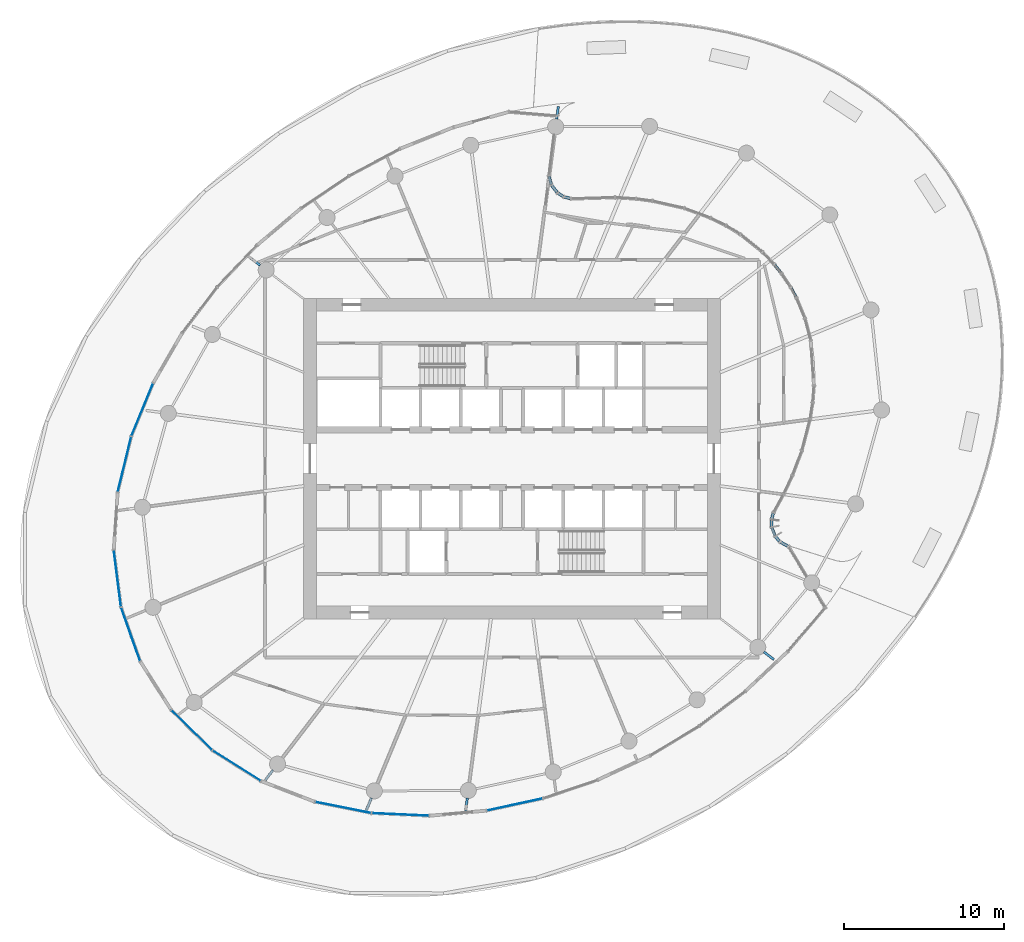
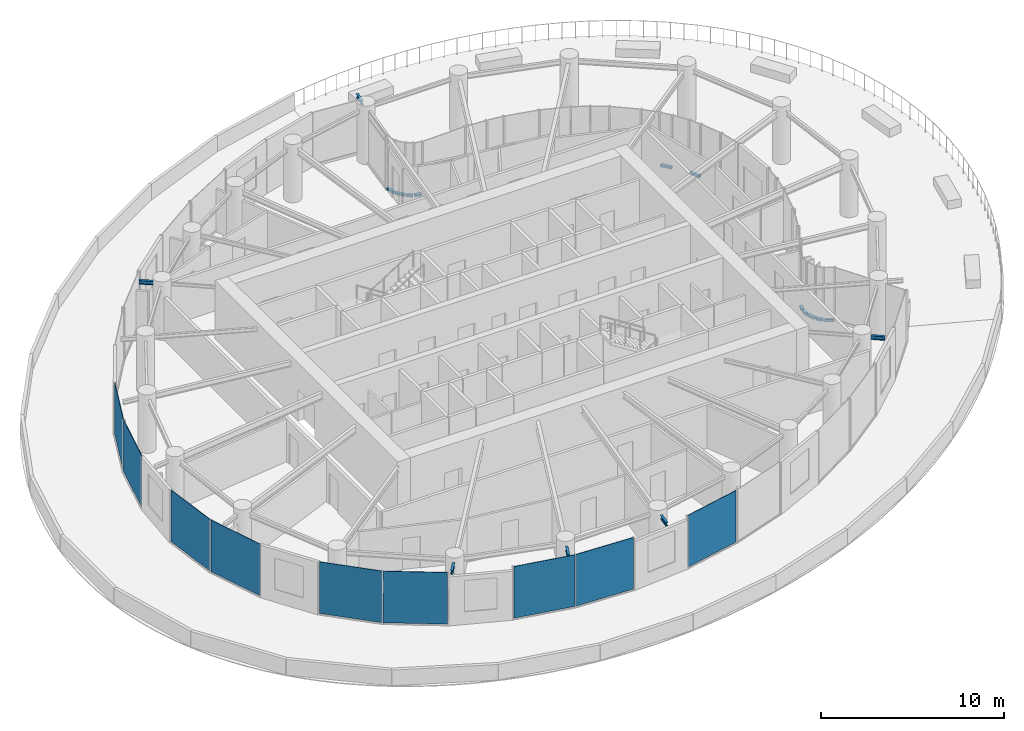
# One storey, part 7 of 21: 11 members, 9 plates, 6 beams, 8 elements without a shape of their own.
"""IFC4 building model written with IfcOpenShell, lengths in metres."""

from ifc_helpers import new_model, si_unit, direction, frame, origin, origin_2d, place, context, subcontext, project, spatial, rectangle, i_section, extrude, source, transform, mapped, material, layer, layer_set, material_profile, profile_set, type_object, element, aggregate, save


model = new_model("IFC4")

# Units and contexts
model_context = context("Model", 3, precision=1e-05, world=origin(), true_north=direction((0.0, 1.0)))
body_context = subcontext(model_context, "Body", "Model", "MODEL_VIEW")
ifc_project = project(units=[si_unit("LENGTHUNIT", "METRE"), si_unit("AREAUNIT", "SQUARE_METRE"), si_unit("VOLUMEUNIT", "CUBIC_METRE"), si_unit("PLANEANGLEUNIT", "RADIAN"), si_unit("MASSUNIT", "GRAM", prefix="KILO")], contexts=[model_context])

# Site, building, storey
site_placement = place(None, origin())
site = spatial("IfcSite", under=ifc_project, at=site_placement, CompositionType="ELEMENT")
building_placement = place(site_placement, origin())
building = spatial("IfcBuilding", under=site, at=building_placement, Name="Spindrift Exchange Tower", CompositionType="ELEMENT")
storey_placement = place(building_placement, frame((0.0, 0.0, 133.10009765625)))
storey = spatial("IfcBuildingStorey", under=building, at=storey_placement, Name="L31", CompositionType="ELEMENT", Elevation=133.10009765625)

# Beams
ifc_material_1 = material(Name="Steel Grade 300", Category="steel")
ifc_material_profile_1 = material_profile(ifc_material_1, i_section(OverallWidth=0.14599609375, OverallDepth=0.251953125, WebThickness=0.006103515625, FlangeThickness=0.008544921875, FilletRadius=0.011962890625, at=origin_2d()), Name="250UB31.4")
ifc_profile_set_1 = profile_set([ifc_material_profile_1], Name="Steel Grade 300")
beam_type = type_object("IfcBeamType", Name="Cantilever Beam 250UB31.4 Steel Grade 300", PredefinedType="BEAM", material=ifc_profile_set_1)
shared_shape_1 = source(origin(), body_context, "Body", "SweptSolid", [
    extrude(i_section(OverallWidth=0.14599609375, OverallDepth=0.251953125, WebThickness=0.006103515625, FlangeThickness=0.008544921875, FilletRadius=0.011962890625, at=origin_2d()), origin(), (0.0, 0.0, 1.0), 0.794677734375),
])
for number, where, z_axis, x_axis, name in (
    (1, (54.78857421875, 69.18115234375, 3.453857421875), (0.130573723613, 0.991438602588, 0.0), (-0.991438602588, 0.130573723613, 0.0), "L31 cantilever beam R06T"),
    (2, (49.21142578125, 26.81884765625, 3.453857421875), (-0.130573723613, -0.991438602588, 0.0), (0.991438602588, -0.130573723613, 0.0), "L31 cantilever beam R18T"),
):
    element("IfcBeam", number, at=place(storey_placement, frame(where, z_axis=z_axis, x_axis=x_axis)), inside=storey, type_object=beam_type, Name=name, PredefinedType="BEAM", context=body_context, shape_type="MappedRepresentation", body=[
        mapped(shared_shape_1, transform((0.0, 0.0, 0.0), scale=1.0)),
    ])
shared_shape_2 = source(origin(), body_context, "Body", "SweptSolid", [
    extrude(i_section(OverallWidth=0.14599609375, OverallDepth=0.251953125, WebThickness=0.006103515625, FlangeThickness=0.008544921875, FilletRadius=0.011962890625, at=origin_2d()), origin(), (0.0, 0.0, 1.0), 0.78515625),
])
for number, where, z_axis, x_axis, name in (
    (3, (36.282958984375, 60.060302734375, 3.453857421875), (-0.793536289636, 0.608522930571, 0.0), (-0.608522930571, -0.793536289636, 0.0), "L31 cantilever beam R10T"),
    (4, (67.717041015625, 35.939697265625, 3.453857421875), (0.793536289636, -0.608522930571, 0.0), (0.608522930571, 0.793536289636, 0.0), "L31 cantilever beam R22T"),
):
    element("IfcBeam", number, at=place(storey_placement, frame(where, z_axis=z_axis, x_axis=x_axis)), inside=storey, type_object=beam_type, Name=name, PredefinedType="BEAM", context=body_context, shape_type="MappedRepresentation", body=[
        mapped(shared_shape_2, transform((0.0, 0.0, 0.0), scale=1.0)),
    ])
shared_shape_3 = source(origin(), body_context, "Body", "SweptSolid", [
    extrude(i_section(OverallWidth=0.14599609375, OverallDepth=0.251953125, WebThickness=0.006103515625, FlangeThickness=0.008544921875, FilletRadius=0.011962890625, at=origin_2d()), origin(), (0.0, 0.0, 1.0), 0.780029296875),
])
beam_1_placement = place(storey_placement, frame((37.0830078125, 28.559814453125, 3.453857421875), z_axis=(-0.608727169633, -0.79337962726, 0.0), x_axis=(0.79337962726, -0.608727169633, 0.0)))
element("IfcBeam", 5, at=beam_1_placement, inside=storey, type_object=beam_type, Name="L31 cantilever beam R16T", PredefinedType="BEAM", context=body_context, shape_type="MappedRepresentation", body=[
    mapped(shared_shape_3, transform((0.0, 0.0, 0.0), scale=1.0)),
])
shared_shape_4 = source(origin(), body_context, "Body", "SweptSolid", [
    extrude(i_section(OverallWidth=0.14599609375, OverallDepth=0.251953125, WebThickness=0.006103515625, FlangeThickness=0.008544921875, FilletRadius=0.011962890625, at=origin_2d()), origin(), (0.0, 0.0, 1.0), 0.813720703125),
])
beam_2_placement = place(storey_placement, frame((43.229248046875, 26.82568359375, 3.453857421875), z_axis=(-0.382590313451, -0.923918098131, 0.0), x_axis=(0.923918098131, -0.382590313451, 0.0)))
element("IfcBeam", 6, at=beam_2_placement, inside=storey, type_object=beam_type, Name="L31 cantilever beam R17T", PredefinedType="BEAM", context=body_context, shape_type="MappedRepresentation", body=[
    mapped(shared_shape_4, transform((0.0, 0.0, 0.0), scale=1.0)),
])

# Curtain wall, member
ifc_material_2 = material(Name="Fritted laminated glass with bronze frame", Category="glass")
ifc_layer_1 = layer(ifc_material_2, 0.199951171875)
ifc_layer_set_1 = layer_set([ifc_layer_1], Name="SKY GARDEN BRONZE GLAZED WALL")
curtain_wall_type_1 = type_object("IfcCurtainWallType", Name="SKY GARDEN BRONZE GLAZED WALL", PredefinedType="NOTDEFINED", material=ifc_layer_set_1)
curtain_wall_1_placement = place(storey_placement, origin())
curtain_wall_1 = element("IfcCurtainWall", 7, at=curtain_wall_1_placement, inside=storey, type_object=curtain_wall_type_1, Name="L31 Sky Garden Bronze Glazed Wall run 10", PredefinedType="NOTDEFINED")
ifc_material_3 = material(Name="Bronze anodised aluminium", Category="aluminium")
ifc_material_profile_2 = material_profile(ifc_material_3, rectangle(XDim=0.179931640625, YDim=0.14990234375, at=origin_2d()), Name="SKY GARDEN BRONZE GLAZED WALL TRANSOM 180X150")
ifc_profile_set_2 = profile_set([ifc_material_profile_2], Name="Bronze anodised aluminium")
member_type = type_object("IfcMemberType", Name="SKY GARDEN BRONZE GLAZED WALL TRANSOM 180X150", PredefinedType="USERDEFINED", material=ifc_profile_set_2)
shared_shape_5 = source(origin(), body_context, "Body", "SweptSolid", [
    extrude(rectangle(XDim=0.179931640625, YDim=0.14990234375, at=origin_2d()), origin(), (0.0, 0.0, 1.0), 0.3759765625),
])
member_1_placement = place(storey_placement, frame((55.192626953125, 64.35986328125, 0.074951171875), z_axis=(-0.847596684812, 0.530640989649, 0.0), x_axis=(-0.530640989649, -0.847596684812, 0.0)))
member_1 = element("IfcMember", 8, at=member_1_placement, type_object=member_type, Name="L31 transom CW-G.57", ObjectType="TRANSOM", PredefinedType="USERDEFINED", context=body_context, shape_type="MappedRepresentation", body=[
    mapped(shared_shape_5, transform((0.0, 0.0, 0.0), scale=1.0)),
])

# Curtain wall, members
curtain_wall_2_placement = place(storey_placement, origin())
curtain_wall_2 = element("IfcCurtainWall", 9, at=curtain_wall_2_placement, inside=storey, type_object=curtain_wall_type_1, Name="L31 Sky Garden Bronze Glazed Wall run 6", PredefinedType="NOTDEFINED")
shared_shape_6 = source(origin(), body_context, "Body", "SweptSolid", [
    extrude(rectangle(XDim=0.179931640625, YDim=0.14990234375, at=origin_2d()), origin(), (0.0, 0.0, 1.0), 0.525390625),
])
member_2_placement = place(storey_placement, frame((69.2197265625, 42.53173828125, 0.074951171875), z_axis=(-0.875970508989, 0.482364662244, 0.0), x_axis=(-0.482364662244, -0.875970508989, 0.0)))
member_2 = element("IfcMember", 10, at=member_2_placement, type_object=member_type, Name="L31 transom CW-G.29", ObjectType="TRANSOM", PredefinedType="USERDEFINED", context=body_context, shape_type="MappedRepresentation", body=[
    mapped(shared_shape_6, transform((0.0, 0.0, 0.0), scale=1.0)),
])
shared_shape_7 = source(origin(), body_context, "Body", "SweptSolid", [
    extrude(rectangle(XDim=0.179931640625, YDim=0.14990234375, at=origin_2d()), origin(), (0.0, 0.0, 1.0), 0.380615234375),
])
member_3_placement = place(storey_placement, frame((68.6943359375, 42.837646484375, 0.074951171875), z_axis=(-0.658050417442, 0.75297386947, 0.0), x_axis=(-0.75297386947, -0.658050417442, 0.0)))
member_3 = element("IfcMember", 11, at=member_3_placement, type_object=member_type, Name="L31 transom CW-G.30", ObjectType="TRANSOM", PredefinedType="USERDEFINED", context=body_context, shape_type="MappedRepresentation", body=[
    mapped(shared_shape_7, transform((0.0, 0.0, 0.0), scale=1.0)),
])
member_4_placement = place(storey_placement, frame((68.19482421875, 43.76513671875, 0.074951171875), z_axis=(-0.021803667249, 0.99976227179, 0.0), x_axis=(-0.99976227179, -0.021803667249, 0.0)))
member_4 = element("IfcMember", 12, at=member_4_placement, type_object=member_type, Name="L31 transom CW-G.32", ObjectType="TRANSOM", PredefinedType="USERDEFINED", context=body_context, shape_type="MappedRepresentation", body=[
    mapped(shared_shape_7, transform((0.0, 0.0, 0.0), scale=1.0)),
])

# Member
member_5_placement = place(storey_placement, frame((55.6376953125, 64.22900390625, 0.074951171875), z_axis=(-0.966691225107, 0.255945453761, 0.0), x_axis=(-0.255945453761, -0.966691225107, 0.0)))
member_5 = element("IfcMember", 13, at=member_5_placement, type_object=member_type, Name="L31 transom CW-G.56", ObjectType="TRANSOM", PredefinedType="USERDEFINED", context=body_context, shape_type="MappedRepresentation", body=[
    mapped(shared_shape_7, transform((0.0, 0.0, 0.0), scale=1.0)),
])

aggregate(curtain_wall_1, [member_5, member_1])

shared_shape_8 = source(origin(), body_context, "Body", "SweptSolid", [
    extrude(rectangle(XDim=0.179931640625, YDim=0.14990234375, at=origin_2d()), origin(), (0.0, 0.0, 1.0), 0.522705078125),
])
member_6_placement = place(storey_placement, frame((68.400390625, 43.19580078125, 0.074951171875), z_axis=(-0.361950378851, 0.932197362821, 0.0), x_axis=(-0.932197362821, -0.361950378851, 0.0)))
member_6 = element("IfcMember", 14, at=member_6_placement, type_object=member_type, Name="L31 transom CW-G.31", ObjectType="TRANSOM", PredefinedType="USERDEFINED", context=body_context, shape_type="MappedRepresentation", body=[
    mapped(shared_shape_8, transform((0.0, 0.0, 0.0), scale=1.0)),
])

shared_shape_9 = source(origin(), body_context, "Body", "SweptSolid", [
    extrude(rectangle(XDim=0.179931640625, YDim=0.14990234375, at=origin_2d()), origin(), (0.0, 0.0, 1.0), 0.375732421875),
])
member_7_placement = place(storey_placement, frame((68.197265625, 44.229248046875, 0.074951171875), z_axis=(0.273605088333, 0.961842115754, 0.0), x_axis=(-0.961842115754, 0.273605088333, 0.0)))
member_7 = element("IfcMember", 15, at=member_7_placement, type_object=member_type, Name="L31 transom CW-G.33", ObjectType="TRANSOM", PredefinedType="USERDEFINED", context=body_context, shape_type="MappedRepresentation", body=[
    mapped(shared_shape_9, transform((0.0, 0.0, 0.0), scale=1.0)),
])

aggregate(curtain_wall_2, [member_2, member_3, member_6, member_4, member_7])

# Curtain wall, member
curtain_wall_3_placement = place(storey_placement, origin())
curtain_wall_3 = element("IfcCurtainWall", 16, at=curtain_wall_3_placement, inside=storey, type_object=curtain_wall_type_1, Name="L31 Sky Garden Bronze Glazed Wall run 8", PredefinedType="NOTDEFINED")
shared_shape_10 = source(origin(), body_context, "Body", "SweptSolid", [
    extrude(rectangle(XDim=0.179931640625, YDim=0.14990234375, at=origin_2d()), origin(), (0.0, 0.0, 1.0), 0.65087890625),
])
member_8_placement = place(storey_placement, frame((69.7216796875, 58.069580078125, 0.074951171875), z_axis=(-0.476669715951, 0.879082465924, 0.0), x_axis=(-0.879082465924, -0.476669715951, 0.0)))
member_8 = element("IfcMember", 17, at=member_8_placement, type_object=member_type, Name="L31 transom CW-G.44", ObjectType="TRANSOM", PredefinedType="USERDEFINED", context=body_context, shape_type="MappedRepresentation", body=[
    mapped(shared_shape_10, transform((0.0, 0.0, 0.0), scale=1.0)),
])
aggregate(curtain_wall_3, [member_8])

curtain_wall_4_placement = place(storey_placement, origin())
curtain_wall_4 = element("IfcCurtainWall", 18, at=curtain_wall_4_placement, inside=storey, type_object=curtain_wall_type_1, Name="L31 Sky Garden Bronze Glazed Wall run 9", PredefinedType="NOTDEFINED")
shared_shape_11 = source(origin(), body_context, "Body", "SweptSolid", [
    extrude(rectangle(XDim=0.179931640625, YDim=0.14990234375, at=origin_2d()), origin(), (0.0, 0.0, 1.0), 0.6513671875),
])
member_9_placement = place(storey_placement, frame((68.790283203125, 59.579345703125, 0.074951171875), z_axis=(-0.623780307201, 0.781599723867, 0.0), x_axis=(-0.781599723867, -0.623780307201, 0.0)))
member_9 = element("IfcMember", 19, at=member_9_placement, type_object=member_type, Name="L31 transom CW-G.46", ObjectType="TRANSOM", PredefinedType="USERDEFINED", context=body_context, shape_type="MappedRepresentation", body=[
    mapped(shared_shape_11, transform((0.0, 0.0, 0.0), scale=1.0)),
])
aggregate(curtain_wall_4, [member_9])

# Curtain wall, members
curtain_wall_5_placement = place(storey_placement, origin())
curtain_wall_5 = element("IfcCurtainWall", 20, at=curtain_wall_5_placement, inside=storey, type_object=curtain_wall_type_1, Name="L31 Sky Garden Bronze Glazed Wall run 11", PredefinedType="NOTDEFINED")
shared_shape_12 = source(origin(), body_context, "Body", "SweptSolid", [
    extrude(rectangle(XDim=0.179931640625, YDim=0.14990234375, at=origin_2d()), origin(), (0.0, 0.0, 1.0), 0.527587890625),
])
member_10_placement = place(storey_placement, frame((54.81201171875, 64.615478515625, 0.074951171875), z_axis=(-0.616308261658, 0.787505001008, 0.0), x_axis=(-0.787505001008, -0.616308261658, 0.0)))
member_10 = element("IfcMember", 21, at=member_10_placement, type_object=member_type, Name="L31 transom CW-G.58", ObjectType="TRANSOM", PredefinedType="USERDEFINED", context=body_context, shape_type="MappedRepresentation", body=[
    mapped(shared_shape_12, transform((0.0, 0.0, 0.0), scale=1.0)),
])
shared_shape_13 = source(origin(), body_context, "Body", "SweptSolid", [
    extrude(rectangle(XDim=0.179931640625, YDim=0.14990234375, at=origin_2d()), origin(), (0.0, 0.0, 1.0), 0.52783203125),
])
member_11_placement = place(storey_placement, frame((54.449462890625, 65.10546875, 0.074951171875), z_axis=(-0.262295302217, 0.964987655069, 0.0), x_axis=(-0.964987655069, -0.262295302217, 0.0)))
member_11 = element("IfcMember", 22, at=member_11_placement, type_object=member_type, Name="L31 transom CW-G.59", ObjectType="TRANSOM", PredefinedType="USERDEFINED", context=body_context, shape_type="MappedRepresentation", body=[
    mapped(shared_shape_13, transform((0.0, 0.0, 0.0), scale=1.0)),
])
aggregate(curtain_wall_5, [member_10, member_11])

# Curtain wall, plate
ifc_layer_2 = layer(ifc_material_2, 0.179931640625)
ifc_layer_set_2 = layer_set([ifc_layer_2], Name="ZONE 3 BRONZE FRITTED WALL")
curtain_wall_type_2 = type_object("IfcCurtainWallType", Name="ZONE 3 BRONZE FRITTED WALL", PredefinedType="NOTDEFINED", material=ifc_layer_set_2)
curtain_wall_6_placement = place(storey_placement, origin())
curtain_wall_6 = element("IfcCurtainWall", 23, at=curtain_wall_6_placement, inside=storey, type_object=curtain_wall_type_2, Name="L31 Zone 3 Bronze Fritted Wall run 4", PredefinedType="NOTDEFINED")
ifc_material_4 = material(Name="Bronze tinted laminated glass, light frit", Category="glass")
ifc_layer_3 = layer(ifc_material_4, 0.031982421875)
ifc_layer_set_3 = layer_set([ifc_layer_3], Name="ZONE 3 BRONZE FRITTED WALL PANEL LIGHT FRIT 960")
plate_type_1 = type_object("IfcPlateType", Name="ZONE 3 BRONZE FRITTED WALL PANEL LIGHT FRIT 960", PredefinedType="CURTAIN_PANEL", material=ifc_layer_set_3)
shared_shape_14 = source(origin(), body_context, "Body", "SweptSolid", [
    extrude(rectangle(XDim=3.530517578125, YDim=0.031982421875, at=origin_2d()), origin(), (0.0, 0.0, 1.0), 3.449951171875),
])
plate_1_placement = place(storey_placement, frame((52.173828125, 26.418212890625, 0.1298828125), z_axis=(0.0, 0.0, 1.0), x_axis=(0.977474500834, 0.211053548226, 0.0)))
plate_1 = element("IfcPlate", 24, at=plate_1_placement, type_object=plate_type_1, Name="L31 panel CW-3.21", PredefinedType="CURTAIN_PANEL", context=body_context, shape_type="MappedRepresentation", body=[
    mapped(shared_shape_14, transform((0.0, 0.0, 0.0), scale=1.0)),
])

# Curtain wall, plates
curtain_wall_7_placement = place(storey_placement, origin())
curtain_wall_7 = element("IfcCurtainWall", 25, at=curtain_wall_7_placement, inside=storey, type_object=curtain_wall_type_2, Name="L31 Zone 3 Bronze Fritted Wall run 2", PredefinedType="NOTDEFINED")
ifc_layer_4 = layer(ifc_material_4, 0.031982421875)
ifc_layer_set_4 = layer_set([ifc_layer_4], Name="ZONE 3 BRONZE FRITTED WALL PANEL LIGHT FRIT 720")
plate_type_2 = type_object("IfcPlateType", Name="ZONE 3 BRONZE FRITTED WALL PANEL LIGHT FRIT 720", PredefinedType="CURTAIN_PANEL", material=ifc_layer_set_4)
shared_shape_15 = source(origin(), body_context, "Body", "SweptSolid", [
    extrude(rectangle(XDim=3.529296875, YDim=0.031982421875, at=origin_2d()), origin(), (0.0, 0.0, 1.0), 3.449951171875),
])
plate_2_placement = place(storey_placement, frame((28.931640625, 51.054931640625, 0.1298828125), z_axis=(0.0, 0.0, 1.0), x_axis=(-0.380282783254, -0.924870263745, 0.0)))
plate_2 = element("IfcPlate", 26, at=plate_2_placement, type_object=plate_type_2, Name="L31 panel CW-3.9", PredefinedType="CURTAIN_PANEL", context=body_context, shape_type="MappedRepresentation", body=[
    mapped(shared_shape_15, transform((0.0, 0.0, 0.0), scale=1.0)),
])
shared_shape_16 = source(origin(), body_context, "Body", "SweptSolid", [
    extrude(rectangle(XDim=3.52880859375, YDim=0.031982421875, at=origin_2d()), origin(), (0.0, 0.0, 1.0), 3.449951171875),
])
plate_3_placement = place(storey_placement, frame((27.82177734375, 47.64208984375, 0.1298828125), z_axis=(0.0, 0.0, 1.0), x_axis=(-0.236417596964, -0.971651542399, 0.0)))
plate_3 = element("IfcPlate", 27, at=plate_3_placement, type_object=plate_type_2, Name="L31 panel CW-3.10", PredefinedType="CURTAIN_PANEL", context=body_context, shape_type="MappedRepresentation", body=[
    mapped(shared_shape_16, transform((0.0, 0.0, 0.0), scale=1.0)),
])
shared_shape_17 = source(origin(), body_context, "Body", "SweptSolid", [
    extrude(rectangle(XDim=3.5263671875, YDim=0.031982421875, at=origin_2d()), origin(), (0.0, 0.0, 1.0), 3.449951171875),
])
plate_4_placement = place(storey_placement, frame((27.380615234375, 40.5205078125, 0.1298828125), z_axis=(0.0, 0.0, 1.0), x_axis=(0.12587865814, -0.992045645837, 0.0)))
plate_4 = element("IfcPlate", 28, at=plate_4_placement, type_object=plate_type_2, Name="L31 panel CW-3.12", PredefinedType="CURTAIN_PANEL", context=body_context, shape_type="MappedRepresentation", body=[
    mapped(shared_shape_17, transform((0.0, 0.0, 0.0), scale=1.0)),
])
aggregate(curtain_wall_7, [plate_2, plate_3, plate_4])

curtain_wall_8_placement = place(storey_placement, origin())
curtain_wall_8 = element("IfcCurtainWall", 29, at=curtain_wall_8_placement, inside=storey, type_object=curtain_wall_type_2, Name="L31 Zone 3 Bronze Fritted Wall run 3", PredefinedType="NOTDEFINED")
plate_5_placement = place(storey_placement, frame((34.826416015625, 28.839599609375, 0.1298828125), z_axis=(0.0, 0.0, 1.0), x_axis=(0.846173634624, -0.532907290312, 0.0)))
plate_5 = element("IfcPlate", 30, at=plate_5_placement, type_object=plate_type_2, Name="L31 panel CW-3.16", PredefinedType="CURTAIN_PANEL", context=body_context, shape_type="MappedRepresentation", body=[
    mapped(shared_shape_17, transform((0.0, 0.0, 0.0), scale=1.0)),
])
shared_shape_18 = source(origin(), body_context, "Body", "SweptSolid", [
    extrude(rectangle(XDim=3.525146484375, YDim=0.031982421875, at=origin_2d()), origin(), (0.0, 0.0, 1.0), 3.449951171875),
])
plate_6_placement = place(storey_placement, frame((28.20703125, 37.042236328125, 0.1298828125), z_axis=(0.0, 0.0, 1.0), x_axis=(0.333846344215, -0.942627507796, 0.0)))
plate_6 = element("IfcPlate", 31, at=plate_6_placement, type_object=plate_type_1, Name="L31 panel CW-3.13", PredefinedType="CURTAIN_PANEL", context=body_context, shape_type="MappedRepresentation", body=[
    mapped(shared_shape_18, transform((0.0, 0.0, 0.0), scale=1.0)),
])
ifc_layer_5 = layer(ifc_material_4, 0.031982421875)
ifc_layer_set_5 = layer_set([ifc_layer_5], Name="ZONE 3 BRONZE FRITTED WALL PANEL LIGHT FRIT 1200")
plate_type_3 = type_object("IfcPlateType", Name="ZONE 3 BRONZE FRITTED WALL PANEL LIGHT FRIT 1200", PredefinedType="CURTAIN_PANEL", material=ifc_layer_set_5)
shared_shape_19 = source(origin(), body_context, "Body", "SweptSolid", [
    extrude(rectangle(XDim=3.525146484375, YDim=0.031982421875, at=origin_2d()), origin(), (0.0, 0.0, 1.0), 3.449951171875),
])
plate_7_placement = place(storey_placement, frame((32.022216796875, 31.057373046875, 0.1298828125), z_axis=(0.0, 0.0, 1.0), x_axis=(0.713558656153, -0.700595492585, 0.0)))
plate_7 = element("IfcPlate", 32, at=plate_7_placement, type_object=plate_type_3, Name="L31 panel CW-3.15", PredefinedType="CURTAIN_PANEL", context=body_context, shape_type="MappedRepresentation", body=[
    mapped(shared_shape_19, transform((0.0, 0.0, 0.0), scale=1.0)),
])
shared_shape_20 = source(origin(), body_context, "Body", "SweptSolid", [
    extrude(rectangle(XDim=3.52880859375, YDim=0.031982421875, at=origin_2d()), origin(), (0.0, 0.0, 1.0), 3.449951171875),
])
plate_8_placement = place(storey_placement, frame((41.46826171875, 26.233154296875, 0.1298828125), z_axis=(0.0, 0.0, 1.0), x_axis=(0.980623549291, -0.195901645159, 0.0)))
plate_8 = element("IfcPlate", 33, at=plate_8_placement, type_object=plate_type_3, Name="L31 panel CW-3.18", PredefinedType="CURTAIN_PANEL", context=body_context, shape_type="MappedRepresentation", body=[
    mapped(shared_shape_20, transform((0.0, 0.0, 0.0), scale=1.0)),
])
aggregate(curtain_wall_8, [plate_6, plate_7, plate_5, plate_8])

# Plate
shared_shape_21 = source(origin(), body_context, "Body", "SweptSolid", [
    extrude(rectangle(XDim=3.529541015625, YDim=0.031982421875, at=origin_2d()), origin(), (0.0, 0.0, 1.0), 3.449951171875),
])
plate_9_placement = place(storey_placement, frame((45.030517578125, 25.79833984375, 0.1298828125), z_axis=(0.0, 0.0, 1.0), x_axis=(0.998953876289, -0.045729126911, 0.0)))
plate_9 = element("IfcPlate", 34, at=plate_9_placement, type_object=plate_type_2, Name="L31 panel CW-3.19", PredefinedType="CURTAIN_PANEL", context=body_context, shape_type="MappedRepresentation", body=[
    mapped(shared_shape_21, transform((0.0, 0.0, 0.0), scale=1.0)),
])

aggregate(curtain_wall_6, [plate_9, plate_1])

save(model, "model.ifc")
